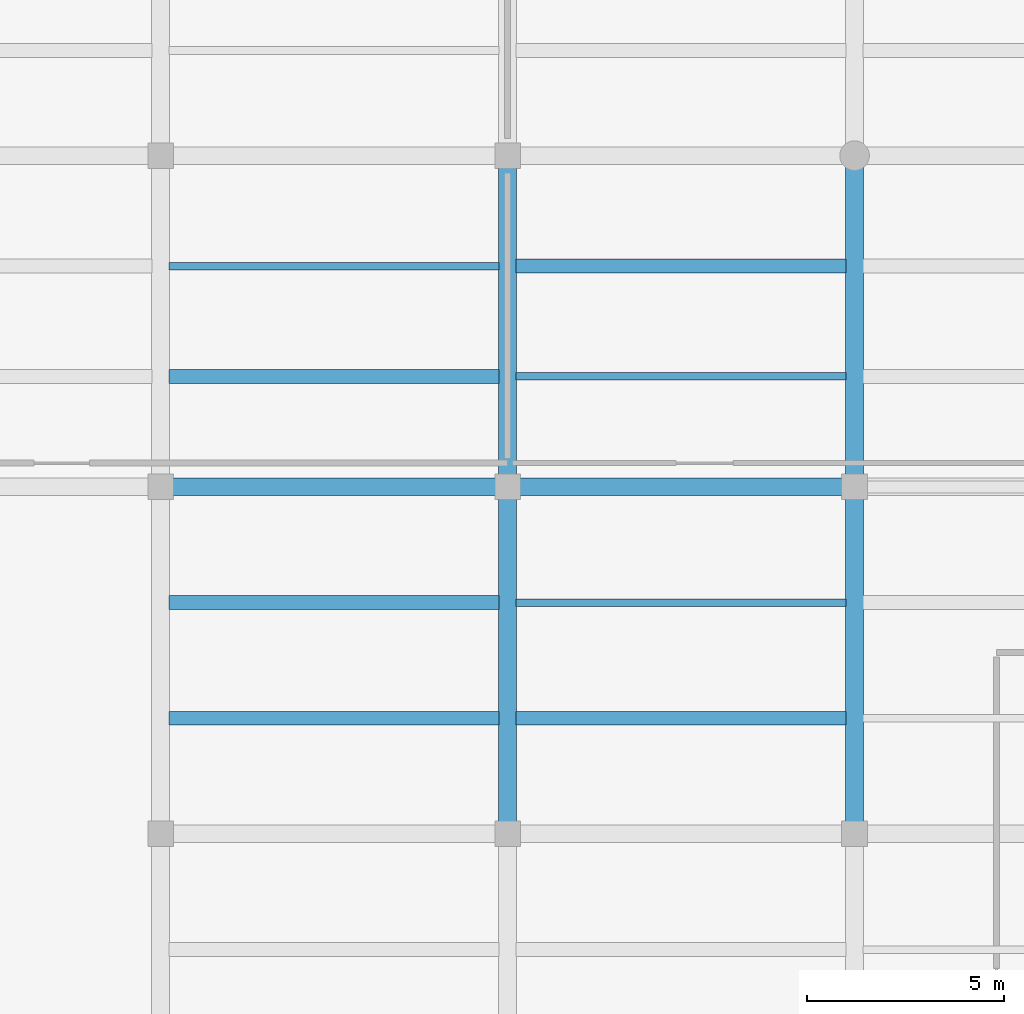
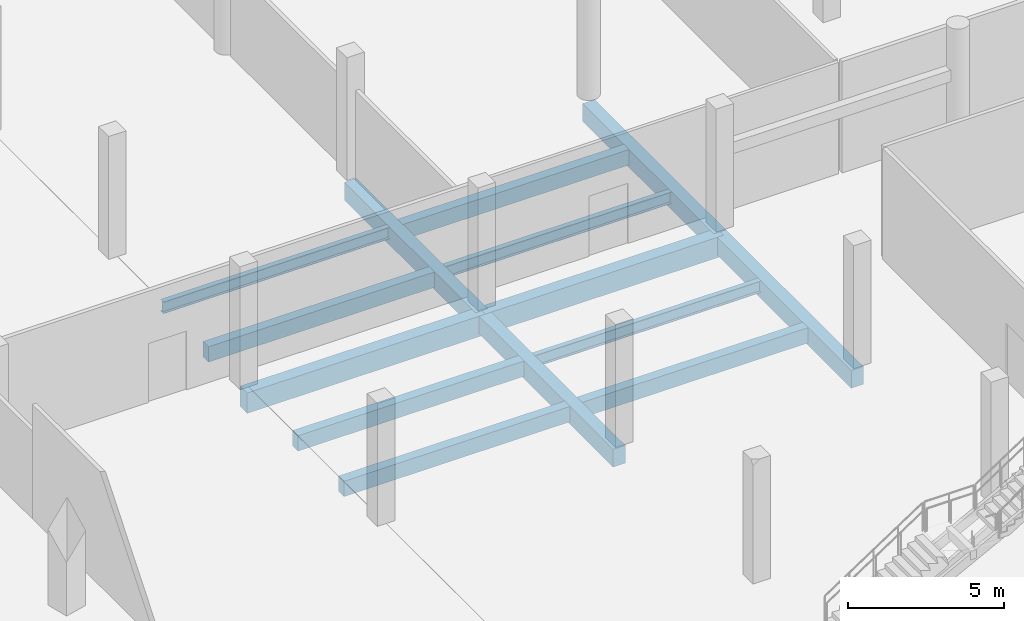
# One storey, part 37 of 71: 14 beams.
"""IFC4 building model written with IfcOpenShell, lengths in metres."""

from ifc_helpers import new_model, si_unit, direction, frame, origin, origin_2d, place, context, subcontext, project, spatial, rectangle, i_section, extrude, material, material_profile, profile_set, type_object, element, save


model = new_model("IFC4")

# Units and contexts
model_context = context("Model", 3, precision=1e-05, world=origin(), true_north=direction((0.0, 1.0)))
body_context = subcontext(model_context, "Body", "Model", "MODEL_VIEW")
ifc_project = project(units=[si_unit("LENGTHUNIT", "METRE"), si_unit("AREAUNIT", "SQUARE_METRE"), si_unit("VOLUMEUNIT", "CUBIC_METRE"), si_unit("PLANEANGLEUNIT", "RADIAN"), si_unit("MASSUNIT", "GRAM", prefix="KILO")], contexts=[model_context])

# Site, building, storey
site_placement = place(None, origin())
site = spatial("IfcSite", under=ifc_project, at=site_placement, CompositionType="ELEMENT")
building_placement = place(site_placement, origin())
building = spatial("IfcBuilding", under=site, at=building_placement, Name="Meriwether Solvik Hall", CompositionType="ELEMENT")
storey_placement = place(building_placement, frame((0.0, 0.0, 5.10009765625)))
storey = spatial("IfcBuildingStorey", under=building, at=storey_placement, Name="L01", CompositionType="ELEMENT", Elevation=5.10009765625)

# Beams
ifc_material_1 = material(Name="Concrete C40/50", Category="concrete")
ifc_material_profile_1 = material_profile(ifc_material_1, rectangle(XDim=0.35009765625, YDim=0.60009765625, at=origin_2d()), Name="RCB-350X600")
ifc_profile_set_1 = profile_set([ifc_material_profile_1], Name="Concrete C40/50")
beam_type_1 = type_object("IfcBeamType", Name="BM-RC-350X600", PredefinedType="JOIST", material=ifc_profile_set_1)
for number, where, z_axis, x_axis, name in (
    (1, (114.419921875, 86.933349609375, -0.60009765625), (1.0, 0.0, 0.0), (0.0, 1.0, 0.0), "Secondary Floor Joist 13/J_J1 (L01)"),
    (2, (114.419921875, 89.86669921875, -0.60009765625), (1.0, 0.0, 0.0), (0.0, 1.0, 0.0), "Secondary Floor Joist 13/J_J2 (L01)"),
    (3, (114.419921875, 95.60009765625, -0.60009765625), (1.0, 0.0, 0.0), (0.0, 1.0, 0.0), "Secondary Floor Joist 13/K_J1 (L01)"),
    (4, (123.219970703125, 86.933349609375, -0.60009765625), (1.0, 0.0, 0.0), (0.0, 1.0, 0.0), "Secondary Floor Joist 14/J_J1 (L01)"),
    (5, (123.219970703125, 98.39990234375, -0.60009765625), (1.0, 0.0, 0.0), (0.0, 1.0, 0.0), "Secondary Floor Joist 14/K_J2 (L01)"),
):
    element("IfcBeam", number, at=place(storey_placement, frame(where, z_axis=z_axis, x_axis=x_axis)), inside=storey, type_object=beam_type_1, Name=name, PredefinedType="JOIST", context=body_context, shape_type="SweptSolid", body=[
        extrude(rectangle(XDim=0.35009765625, YDim=0.60009765625, at=origin_2d()), origin(), (0.0, 0.0, 1.0), 8.360107421875),
    ])
ifc_material_2 = material(Name="Concrete C40/50", Category="concrete")
ifc_material_profile_2 = material_profile(ifc_material_2, rectangle(XDim=0.449951171875, YDim=0.699951171875, at=origin_2d()), Name="RCB-450X700")
ifc_profile_set_2 = profile_set([ifc_material_profile_2], Name="Concrete C40/50")
beam_type_2 = type_object("IfcBeamType", Name="BM-RC-450X700", PredefinedType="BEAM", material=ifc_profile_set_2)
beam_1_placement = place(storey_placement, frame((123.0, 84.0, -0.650146484375), z_axis=(0.0, 1.0, 0.0), x_axis=(-1.0, 0.0, 0.0)))
element("IfcBeam", 6, at=beam_1_placement, inside=storey, type_object=beam_type_2, Name="Podium Girder 14:J-K (L01)", PredefinedType="BEAM", context=body_context, shape_type="SweptSolid", body=[
    extrude(rectangle(XDim=0.449951171875, YDim=0.699951171875, at=origin_2d()), origin(), (0.0, 0.0, 1.0), 8.800048828125),
])
beam_2_placement = place(storey_placement, frame((123.0, 92.800048828125, -0.650146484375), z_axis=(0.0, 1.0, 0.0), x_axis=(-1.0, 0.0, 0.0)))
element("IfcBeam", 7, at=beam_2_placement, inside=storey, type_object=beam_type_2, Name="Podium Girder 14:K-L (L01)", PredefinedType="BEAM", context=body_context, shape_type="SweptSolid", body=[
    extrude(rectangle(XDim=0.449951171875, YDim=0.699951171875, at=origin_2d()), origin(), (0.0, 0.0, 1.0), 8.39990234375),
])
beam_3_placement = place(storey_placement, frame((131.800048828125, 84.0, -0.650146484375), z_axis=(0.0, 1.0, 0.0), x_axis=(-1.0, 0.0, 0.0)))
element("IfcBeam", 8, at=beam_3_placement, inside=storey, type_object=beam_type_2, Name="Podium Girder 15:J-K (L01)", PredefinedType="BEAM", context=body_context, shape_type="SweptSolid", body=[
    extrude(rectangle(XDim=0.449951171875, YDim=0.699951171875, at=origin_2d()), origin(), (0.0, 0.0, 1.0), 8.800048828125),
])
beam_4_placement = place(storey_placement, frame((131.800048828125, 92.800048828125, -0.650146484375), z_axis=(0.0, 1.0, 0.0), x_axis=(-1.0, 0.0, 0.0)))
element("IfcBeam", 9, at=beam_4_placement, inside=storey, type_object=beam_type_2, Name="Podium Girder 15:K-L (L01)", PredefinedType="BEAM", context=body_context, shape_type="SweptSolid", body=[
    extrude(rectangle(XDim=0.449951171875, YDim=0.699951171875, at=origin_2d()), origin(), (0.0, 0.0, 1.0), 8.39990234375),
])
ifc_material_3 = material(Name="Concrete C40/50", Category="concrete")
ifc_material_profile_3 = material_profile(ifc_material_3, rectangle(XDim=0.449951171875, YDim=0.800048828125, at=origin_2d()), Name="RCB-450X800")
ifc_profile_set_3 = profile_set([ifc_material_profile_3], Name="Concrete C40/50")
beam_type_3 = type_object("IfcBeamType", Name="BM-RC-450X800", PredefinedType="BEAM", material=ifc_profile_set_3)
for number, where, z_axis, x_axis, name in (
    (10, (114.199951171875, 92.800048828125, -0.7001953125), (1.0, 0.0, 0.0), (0.0, 1.0, 0.0), "Podium Girder K:13-14 (L01)"),
    (11, (123.0, 92.800048828125, -0.7001953125), (1.0, 0.0, 0.0), (0.0, 1.0, 0.0), "Podium Girder K:14-15 (L01)"),
):
    element("IfcBeam", number, at=place(storey_placement, frame(where, z_axis=z_axis, x_axis=x_axis)), inside=storey, type_object=beam_type_3, Name=name, PredefinedType="BEAM", context=body_context, shape_type="SweptSolid", body=[
        extrude(rectangle(XDim=0.449951171875, YDim=0.800048828125, at=origin_2d()), origin(), (0.0, 0.0, 1.0), 8.800048828125),
    ])
ifc_material_4 = material(Name="Steel A992 Grade 50", Category="steel")
ifc_material_profile_4 = material_profile(ifc_material_4, i_section(OverallWidth=0.19091796875, OverallDepth=0.45703125, WebThickness=0.009033203125, FlangeThickness=0.014404296875, at=origin_2d()), Name="W18X50")
ifc_profile_set_4 = profile_set([ifc_material_profile_4], Name="Steel A992 Grade 50")
beam_type_4 = type_object("IfcBeamType", Name="BM-STL-W18X50", PredefinedType="JOIST", material=ifc_profile_set_4)
for number, where, z_axis, x_axis, name in (
    (12, (114.419921875, 98.39990234375, -0.528564453125), (1.0, 0.0, 0.0), (0.0, 1.0, 0.0), "Secondary Floor Joist 13/K_J2 (L01)"),
    (13, (123.219970703125, 89.86669921875, -0.528564453125), (1.0, 0.0, 0.0), (0.0, 1.0, 0.0), "Secondary Floor Joist 14/J_J2 (L01)"),
    (14, (123.219970703125, 95.60009765625, -0.528564453125), (1.0, 0.0, 0.0), (0.0, 1.0, 0.0), "Secondary Floor Joist 14/K_J1 (L01)"),
):
    element("IfcBeam", number, at=place(storey_placement, frame(where, z_axis=z_axis, x_axis=x_axis)), inside=storey, type_object=beam_type_4, Name=name, PredefinedType="JOIST", context=body_context, shape_type="SweptSolid", body=[
        extrude(i_section(OverallWidth=0.19091796875, OverallDepth=0.45703125, WebThickness=0.009033203125, FlangeThickness=0.014404296875, at=origin_2d()), origin(), (0.0, 0.0, 1.0), 8.360107421875),
    ])

save(model, "model.ifc")
